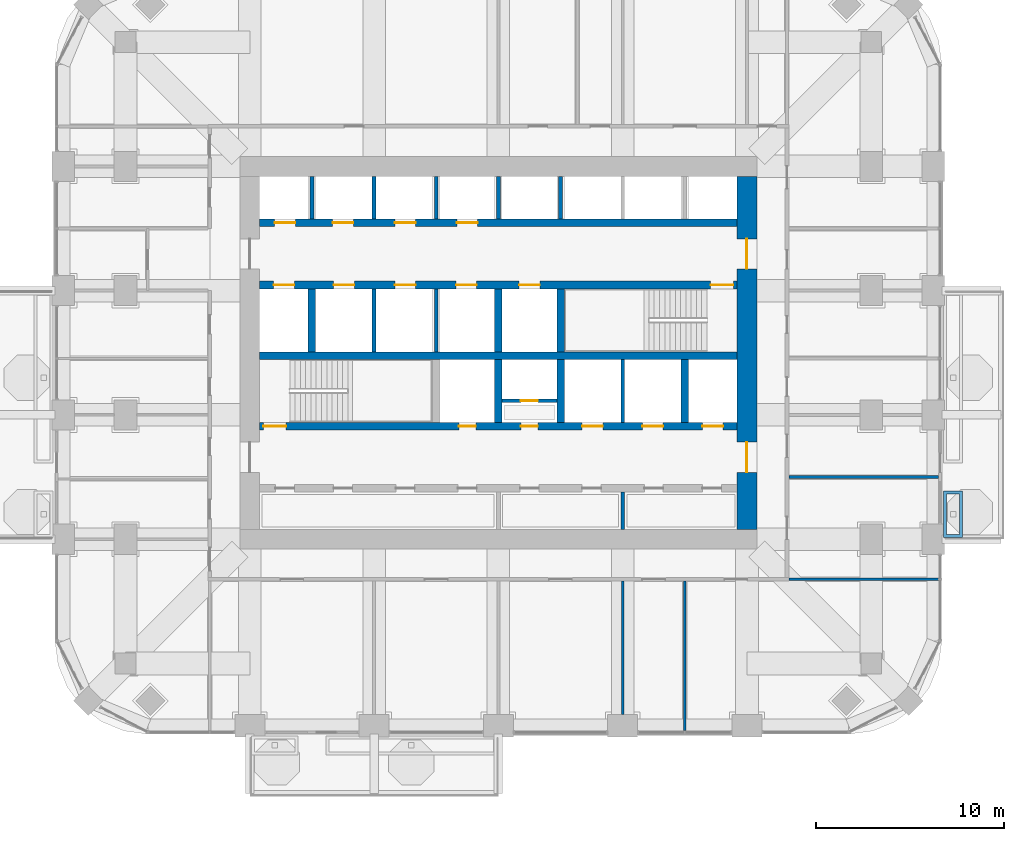
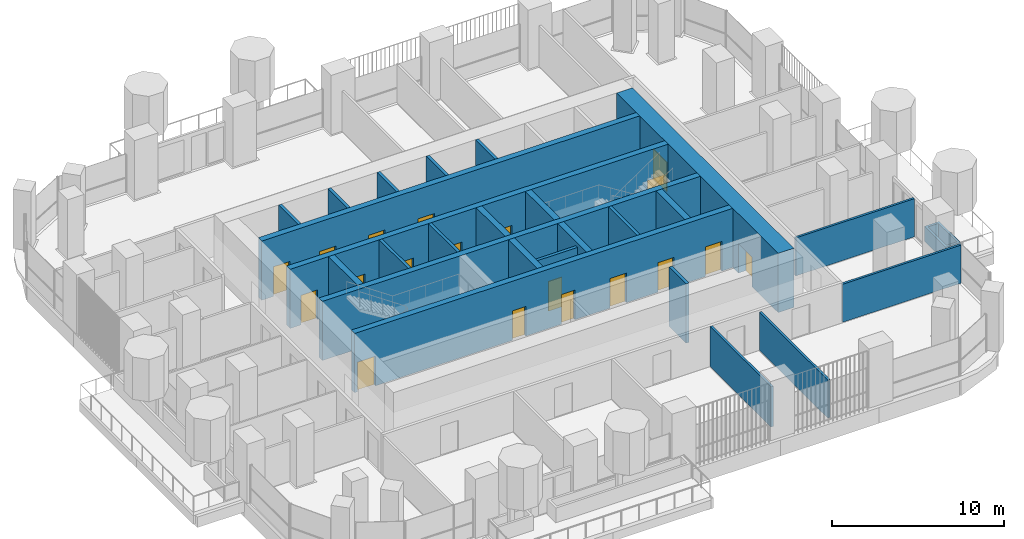
# One storey, part 13 of 20: 26 walls, 19 doors, 19 openings.
"""IFC4 building model written with IfcOpenShell, lengths in metres."""

import ifcopenshell
import ifcopenshell.guid

model = None  # the IFC model being written
_history = None  # IfcOwnerHistory: only IFC2X3 demands one
_inside = {}  # id of a spatial element -> (the spatial element, [elements in it])
_under = {}  # id of a project, library or spatial element -> (it, [spatial elements below it])
_declared = {}  # id of a project -> (the project, [libraries it declares])
_typed = {}  # id of a type object -> (the type object, [elements of that type])
_made_of = {}  # id of a material, layer set ... -> (it, [elements and type objects made of it])


def new_model(schema):
    """Start an empty IFC model of exactly this schema.

    Asked for "IFC4X3", IfcOpenShell would pick the latest addendum, in which some entities
    have other attributes; the version numbers below select the first issue.
    IFC2X3 requires an IfcOwnerHistory on every rooted entity: one is made here for all.
    """
    global model, _history
    if schema == "IFC4X3":
        model = ifcopenshell.file(schema_version=(4, 3, 0, 0))
    else:
        model = ifcopenshell.file(schema=schema)
    _inside.clear()
    _under.clear()
    _declared.clear()
    _typed.clear()
    _made_of.clear()
    _history = None
    if model.schema == "IFC2X3":
        org = make("IfcOrganization", Name="unknown")
        user = make(
            "IfcPersonAndOrganization",
            ThePerson=make("IfcPerson", FamilyName="unknown"),
            TheOrganization=org,
        )
        app = make(
            "IfcApplication",
            ApplicationDeveloper=org,
            Version="unknown",
            ApplicationFullName="unknown",
            ApplicationIdentifier="unknown",
        )
        _history = make(
            "IfcOwnerHistory",
            OwningUser=user,
            OwningApplication=app,
            ChangeAction="ADDED",
            CreationDate=0,
        )
    return model


def make(cls, **values):
    """One entity of the class cls with the attributes given. An attribute that is None is left unset."""
    return model.create_entity(
        cls, **{name: value for name, value in values.items() if value is not None}
    )


def rooted(cls, **values):
    """An entity with a GlobalId (a new one), such as an element, a storey or a relation."""
    return make(cls, GlobalId=ifcopenshell.guid.new(), OwnerHistory=_history, **values)


def si_unit(unit_type, name, prefix=None):
    """IfcSIUnit, for example si_unit("LENGTHUNIT", "METRE", prefix="MILLI")."""
    return make("IfcSIUnit", UnitType=unit_type, Prefix=prefix, Name=name)


def assignment(units):
    """IfcUnitAssignment: the units of a project."""
    return None if units is None else make("IfcUnitAssignment", Units=units)


def point(xyz):
    """IfcCartesianPoint."""
    return None if xyz is None else make("IfcCartesianPoint", Coordinates=xyz)


def direction(xyz):
    """IfcDirection."""
    return None if xyz is None else make("IfcDirection", DirectionRatios=xyz)


def frame(location, z_axis=None, x_axis=None):
    """IfcAxis2Placement3D, a coordinate frame: its origin and axes. An axis left out is left unset."""
    return make(
        "IfcAxis2Placement3D",
        Location=point(location),
        Axis=direction(z_axis),
        RefDirection=direction(x_axis),
    )


def frame_2d(location, x_axis=None):
    """IfcAxis2Placement2D, a coordinate frame in the plane: its origin and x axis."""
    return make(
        "IfcAxis2Placement2D", Location=point(location), RefDirection=direction(x_axis)
    )


def origin():
    """The frame at (0, 0, 0) with its axes left unset."""
    return frame((0.0, 0.0, 0.0))


def place(relative_to, where):
    """IfcLocalPlacement: puts the frame where relative to a parent placement (None: the world)."""
    return make(
        "IfcLocalPlacement", PlacementRelTo=relative_to, RelativePlacement=where
    )


def context(
    kind, dimensions, precision=None, world=None, true_north=None, identifier=None
):
    """IfcGeometricRepresentationContext, for example the 3D "Model" context."""
    return make(
        "IfcGeometricRepresentationContext",
        ContextIdentifier=identifier,
        ContextType=kind,
        CoordinateSpaceDimension=dimensions,
        Precision=precision,
        WorldCoordinateSystem=world,
        TrueNorth=true_north,
    )


def subcontext(parent, identifier, kind, view, scale=None):
    """IfcGeometricRepresentationSubContext, for example "Body" below "Model"."""
    return make(
        "IfcGeometricRepresentationSubContext",
        ContextIdentifier=identifier,
        ContextType=kind,
        ParentContext=parent,
        TargetScale=scale,
        TargetView=view,
    )


def project(units=None, contexts=None):
    """IfcProject with its units and contexts."""
    return rooted(
        "IfcProject",
        Name="project",
        RepresentationContexts=contexts,
        UnitsInContext=assignment(units),
    )


def spatial(cls, under=None, at=None, **own):
    """A site, building, storey or space (cls), placed at a placement, below another one or the project."""
    s = rooted(cls, ObjectPlacement=at, **own)
    if under is not None:
        _under.setdefault(under.id(), (under, []))[1].append(s)
    return s


def polyline(points):
    """IfcPolyline through the points."""
    return make("IfcPolyline", Points=[point(p) for p in points])


def profile(cls, at=None, kind="AREA", **sizes):
    """A parametric profile (cls). Its sizes go by their IFC names, for example OverallWidth=200.0."""
    return make(cls, ProfileType=kind, Position=at, **sizes)


def rectangle(**sizes):
    """IfcRectangleProfileDef."""
    return profile("IfcRectangleProfileDef", **sizes)


def outline(outer, holes=None, kind="AREA"):
    """IfcArbitraryClosedProfileDef: a profile drawn as a closed curve; with holes, ...WithVoids."""
    if holes is None:
        return make("IfcArbitraryClosedProfileDef", ProfileType=kind, OuterCurve=outer)
    return make(
        "IfcArbitraryProfileDefWithVoids",
        ProfileType=kind,
        OuterCurve=outer,
        InnerCurves=holes,
    )


def extrude(swept, where, along, depth):
    """IfcExtrudedAreaSolid: the profile swept, set in the frame where, extruded along a direction by depth."""
    return make(
        "IfcExtrudedAreaSolid",
        SweptArea=swept,
        Position=where,
        ExtrudedDirection=direction(along),
        Depth=depth,
    )


def shape(context_of_items, identifier, shape_type, items):
    """IfcShapeRepresentation: the items that make up one representation, for example the "Body"."""
    return make(
        "IfcShapeRepresentation",
        ContextOfItems=context_of_items,
        RepresentationIdentifier=identifier,
        RepresentationType=shape_type,
        Items=items,
    )


def material(Name=None, Category=None):
    """IfcMaterial."""
    return make("IfcMaterial", Name=Name, Category=Category)


def layer(
    of_material, thickness, ventilated=None, Name=None, Category=None, Priority=None
):
    """IfcMaterialLayer: one layer of a wall or slab, of a material (None: an air gap)."""
    return make(
        "IfcMaterialLayer",
        Material=of_material,
        LayerThickness=thickness,
        IsVentilated=ventilated,
        Name=Name,
        Category=Category,
        Priority=Priority,
    )


def layer_set(layers, Name=None):
    """IfcMaterialLayerSet."""
    return make("IfcMaterialLayerSet", MaterialLayers=layers, LayerSetName=Name)


def made_of(thing, what):
    """Note that an element or type object is made of a material, layer set ...; save() writes the relation."""
    if what is not None:
        _made_of.setdefault(what.id(), (what, []))[1].append(thing)
    return thing


def type_object(cls, material=None, **own):
    """A type object (cls), such as IfcWallType, which elements share."""
    return made_of(rooted(cls, **own), material)


def element(
    cls,
    number,
    at=None,
    inside=None,
    cuts=None,
    type_object=None,
    material=None,
    context=None,
    identifier="Body",
    shape_type=None,
    held_by="IfcProductDefinitionShape",
    body=None,
    shapes=None,
    **own,
):
    """One element of the class cls, such as IfcWall. Its Tag is "e" and its number.

    at: its placement. inside: the storey or other place that contains it. cuts: it is an
    opening in that element (IfcRelVoidsElement). A single representation is given by context,
    identifier, shape_type and body (its items); several are given by shapes. held_by: the class
    of the entity that holds the representations. save() writes the other relations.
    """
    e = rooted(cls, Tag="e%d" % number, ObjectPlacement=at, **own)
    if body is not None:
        shapes = [shape(context, identifier, shape_type, body)]
    if shapes is not None:
        e.Representation = make(held_by, Representations=shapes)
    if inside is not None:
        _inside.setdefault(inside.id(), (inside, []))[1].append(e)
    if cuts is not None:
        rooted(
            "IfcRelVoidsElement", RelatingBuildingElement=cuts, RelatedOpeningElement=e
        )
    if type_object is not None:
        _typed.setdefault(type_object.id(), (type_object, []))[1].append(e)
    return made_of(e, material)


def fill(opening, filler):
    """IfcRelFillsElement: the door or window that sits in an opening."""
    return rooted(
        "IfcRelFillsElement",
        RelatingOpeningElement=opening,
        RelatedBuildingElement=filler,
    )


def aggregate(whole, parts):
    """IfcRelAggregates: a whole, such as a stair, and the parts it consists of."""
    return rooted("IfcRelAggregates", RelatingObject=whole, RelatedObjects=parts)


def save(model, path):
    """Write the relations noted so far, then the file.

    IfcRelAggregates (storeys below a building ...), IfcRelContainedInSpatialStructure (elements
    in a storey), IfcRelDefinesByType, IfcRelAssociatesMaterial and IfcRelDeclares: one each for
    every whole, place, type object, material and project.
    """
    for whole, parts in _under.values():
        aggregate(whole, parts)
    for where, things in _inside.values():
        rooted(
            "IfcRelContainedInSpatialStructure",
            RelatedElements=things,
            RelatingStructure=where,
        )
    for kind, things in _typed.values():
        rooted("IfcRelDefinesByType", RelatedObjects=things, RelatingType=kind)
    for what, things in _made_of.values():
        rooted("IfcRelAssociatesMaterial", RelatedObjects=things, RelatingMaterial=what)
    for by, libraries in _declared.values():
        rooted("IfcRelDeclares", RelatingContext=by, RelatedDefinitions=libraries)
    model.write(path)


model = new_model("IFC4")

# Units and contexts
model_context = context("Model", 3, precision=1e-05, world=origin(), true_north=direction((0.0, 1.0)))
body_context = subcontext(model_context, "Body", "Model", "MODEL_VIEW")
ifc_project = project(units=[si_unit("LENGTHUNIT", "METRE"), si_unit("AREAUNIT", "SQUARE_METRE"), si_unit("VOLUMEUNIT", "CUBIC_METRE"), si_unit("PLANEANGLEUNIT", "RADIAN"), si_unit("MASSUNIT", "GRAM", prefix="KILO")], contexts=[model_context])

# Site, building, storey
site_placement = place(None, origin())
site = spatial("IfcSite", under=ifc_project, at=site_placement, CompositionType="ELEMENT")
building_placement = place(site_placement, origin())
building = spatial("IfcBuilding", under=site, at=building_placement, Name="Cobogo Forest Laboratory Tower", CompositionType="ELEMENT")
storey_placement = place(building_placement, frame((0.0, 0.0, 185.10009765625)))
storey = spatial("IfcBuildingStorey", under=building, at=storey_placement, Name="L42", CompositionType="ELEMENT", Elevation=185.10009765625)

# Wall, openings, doors
ifc_material_1 = material(Name="Concrete HA-50 (C50/60)", Category="concrete")
ifc_layer_1 = layer(ifc_material_1, 0.39990234375)
ifc_layer_set_1 = layer_set([ifc_layer_1], Name="CI400 core inner wall 400")
wall_type_1 = type_object("IfcWallType", Name="CI400 core inner wall 400", PredefinedType="SHEAR", material=ifc_layer_set_1)
wall_1_placement = place(storey_placement, frame((13.72509765625, 19.199951171875, 0.0), z_axis=(0.0, 0.0, 1.0), x_axis=(1.0, 0.0, 0.0)))
wall_1 = element("IfcWall", 1, at=wall_1_placement, inside=storey, type_object=wall_type_1, Name="Core wall CI-19.2 L42", PredefinedType="SHEAR", context=body_context, shape_type="SweptSolid", body=[
    extrude(rectangle(XDim=25.349853515625, YDim=0.39990234375, at=frame_2d((12.6748046875, 0.0))), origin(), (0.0, 0.0, 1.0), 4.199951171875),
])
opening_1_placement = place(wall_1_placement, frame((10.574951171875, 0.0, 0.0)))
opening_1 = element("IfcOpeningElement", 2, at=opening_1_placement, cuts=wall_1, Name="Opening L42-D25", PredefinedType="OPENING", context=body_context, shape_type="SweptSolid", body=[
    extrude(rectangle(XDim=0.89990234375, YDim=2.10009765625, at=frame_2d((0.449951171875, 1.050048828125))), frame((0.0, 0.2099609375, 0.0), z_axis=(0.0, -1.0, 0.0), x_axis=(1.0, 0.0, 0.0)), (0.0, 0.0, 1.0), 0.419921875),
])
opening_2_placement = place(wall_1_placement, frame((13.875, 0.0, 0.0)))
opening_2 = element("IfcOpeningElement", 3, at=opening_2_placement, cuts=wall_1, Name="Opening L42-D26", PredefinedType="OPENING", context=body_context, shape_type="SweptSolid", body=[
    extrude(rectangle(XDim=0.89990234375, YDim=2.10009765625, at=frame_2d((0.449951171875, 1.050048828125))), frame((0.0, 0.2099609375, 0.0), z_axis=(0.0, -1.0, 0.0), x_axis=(1.0, 0.0, 0.0)), (0.0, 0.0, 1.0), 0.419921875),
])
opening_3_placement = place(wall_1_placement, frame((0.199951171875, 0.0, 0.0)))
opening_3 = element("IfcOpeningElement", 4, at=opening_3_placement, cuts=wall_1, Name="Opening L42-D24", PredefinedType="OPENING", context=body_context, shape_type="SweptSolid", body=[
    extrude(rectangle(XDim=1.199951171875, YDim=2.10009765625, at=frame_2d((0.60009765625, 1.050048828125))), frame((0.0, 0.2099609375, 0.0), z_axis=(0.0, -1.0, 0.0), x_axis=(1.0, 0.0, 0.0)), (0.0, 0.0, 1.0), 0.419921875),
])
opening_4_placement = place(wall_1_placement, frame((23.512451171875, 0.0, 0.0)))
opening_4 = element("IfcOpeningElement", 5, at=opening_4_placement, cuts=wall_1, Name="Opening L42-LD-FL2", PredefinedType="OPENING", context=body_context, shape_type="SweptSolid", body=[
    extrude(rectangle(XDim=1.10009765625, YDim=2.10009765625, at=frame_2d((0.550048828125, 1.050048828125))), frame((0.0, 0.2099609375, 0.0), z_axis=(0.0, -1.0, 0.0), x_axis=(1.0, 0.0, 0.0)), (0.0, 0.0, 1.0), 0.419921875),
])
opening_5_placement = place(wall_1_placement, frame((17.125, 0.0, 0.0)))
opening_5 = element("IfcOpeningElement", 6, at=opening_5_placement, cuts=wall_1, Name="Opening L42-LD-LS1", PredefinedType="OPENING", context=body_context, shape_type="SweptSolid", body=[
    extrude(rectangle(XDim=1.10009765625, YDim=2.10009765625, at=frame_2d((0.550048828125, 1.050048828125))), frame((0.0, 0.2099609375, 0.0), z_axis=(0.0, -1.0, 0.0), x_axis=(1.0, 0.0, 0.0)), (0.0, 0.0, 1.0), 0.419921875),
])
opening_6_placement = place(wall_1_placement, frame((20.324951171875, 0.0, 0.0)))
opening_6 = element("IfcOpeningElement", 7, at=opening_6_placement, cuts=wall_1, Name="Opening L42-LD-LS2", PredefinedType="OPENING", context=body_context, shape_type="SweptSolid", body=[
    extrude(rectangle(XDim=1.10009765625, YDim=2.10009765625, at=frame_2d((0.550048828125, 1.050048828125))), frame((0.0, 0.2099609375, 0.0), z_axis=(0.0, -1.0, 0.0), x_axis=(1.0, 0.0, 0.0)), (0.0, 0.0, 1.0), 0.419921875),
])
ifc_material_2 = material(Name="Steel fire door", Category="steel")
door_type_1 = type_object("IfcDoorType", Name="DS1 protected stair door 1200 EI2 60", OperationType="SINGLE_SWING_LEFT", PredefinedType="DOOR", material=ifc_material_2)
door_1_placement = place(opening_3_placement, origin())
door_1 = element("IfcDoor", 8, at=door_1_placement, inside=storey, type_object=door_type_1, Name="Door L42-ST1", OperationType="SINGLE_SWING_LEFT", OverallHeight=2.10009765625, OverallWidth=1.199951171875, PredefinedType="DOOR", context=body_context, shape_type="SweptSolid", body=[
    extrude(rectangle(XDim=1.199951171875, YDim=2.10009765625, at=frame_2d((0.60009765625, 1.050048828125))), frame((0.0, 0.02490234375, 0.0), z_axis=(0.0, -1.0, 0.0), x_axis=(1.0, 0.0, 0.0)), (0.0, 0.0, 1.0), 0.050048828125),
])
fill(opening_3, door_1)
door_type_2 = type_object("IfcDoorType", Name="FD4 riser access door 900 EI2 60", OperationType="SINGLE_SWING_LEFT", PredefinedType="DOOR", material=ifc_material_2)
door_2_placement = place(opening_1_placement, origin())
door_2 = element("IfcDoor", 9, at=door_2_placement, inside=storey, type_object=door_type_2, Name="Door L42-R1", OperationType="SINGLE_SWING_LEFT", OverallHeight=2.10009765625, OverallWidth=0.89990234375, PredefinedType="DOOR", context=body_context, shape_type="SweptSolid", body=[
    extrude(rectangle(XDim=0.89990234375, YDim=2.10009765625, at=frame_2d((0.449951171875, 1.050048828125))), frame((0.0, 0.02490234375, 0.0), z_axis=(0.0, -1.0, 0.0), x_axis=(1.0, 0.0, 0.0)), (0.0, 0.0, 1.0), 0.050048828125),
])
fill(opening_1, door_2)
door_3_placement = place(opening_2_placement, origin())
door_3 = element("IfcDoor", 10, at=door_3_placement, inside=storey, type_object=door_type_2, Name="Door L42-R2V", OperationType="SINGLE_SWING_RIGHT", OverallHeight=2.10009765625, OverallWidth=0.89990234375, PredefinedType="DOOR", context=body_context, shape_type="SweptSolid", body=[
    extrude(rectangle(XDim=0.89990234375, YDim=2.10009765625, at=frame_2d((0.449951171875, 1.050048828125))), frame((0.0, 0.02490234375, 0.0), z_axis=(0.0, -1.0, 0.0), x_axis=(1.0, 0.0, 0.0)), (0.0, 0.0, 1.0), 0.050048828125),
])
fill(opening_2, door_3)
ifc_material_3 = material(Name="Stainless steel lift door", Category="steel")
door_type_3 = type_object("IfcDoorType", Name="LD lift landing door 1100", OperationType="DOUBLE_DOOR_SLIDING", PredefinedType="DOOR", material=ifc_material_3)
door_4_placement = place(opening_4_placement, origin())
door_4 = element("IfcDoor", 11, at=door_4_placement, inside=storey, type_object=door_type_3, Name="Lift landing door FL2 L42", OperationType="DOUBLE_DOOR_SLIDING", OverallHeight=2.10009765625, OverallWidth=1.10009765625, PredefinedType="DOOR", context=body_context, shape_type="SweptSolid", body=[
    extrude(rectangle(XDim=1.10009765625, YDim=2.10009765625, at=frame_2d((0.550048828125, 1.050048828125))), frame((0.0, 0.02490234375, 0.0), z_axis=(0.0, -1.0, 0.0), x_axis=(1.0, 0.0, 0.0)), (0.0, 0.0, 1.0), 0.050048828125),
])
fill(opening_4, door_4)
door_5_placement = place(opening_5_placement, origin())
door_5 = element("IfcDoor", 12, at=door_5_placement, inside=storey, type_object=door_type_3, Name="Lift landing door LS1 L42", OperationType="DOUBLE_DOOR_SLIDING", OverallHeight=2.10009765625, OverallWidth=1.10009765625, PredefinedType="DOOR", context=body_context, shape_type="SweptSolid", body=[
    extrude(rectangle(XDim=1.10009765625, YDim=2.10009765625, at=frame_2d((0.550048828125, 1.050048828125))), frame((0.0, 0.02490234375, 0.0), z_axis=(0.0, -1.0, 0.0), x_axis=(1.0, 0.0, 0.0)), (0.0, 0.0, 1.0), 0.050048828125),
])
fill(opening_5, door_5)
door_6_placement = place(opening_6_placement, origin())
door_6 = element("IfcDoor", 13, at=door_6_placement, inside=storey, type_object=door_type_3, Name="Lift landing door LS2 L42", OperationType="DOUBLE_DOOR_SLIDING", OverallHeight=2.10009765625, OverallWidth=1.10009765625, PredefinedType="DOOR", context=body_context, shape_type="SweptSolid", body=[
    extrude(rectangle(XDim=1.10009765625, YDim=2.10009765625, at=frame_2d((0.550048828125, 1.050048828125))), frame((0.0, 0.02490234375, 0.0), z_axis=(0.0, -1.0, 0.0), x_axis=(1.0, 0.0, 0.0)), (0.0, 0.0, 1.0), 0.050048828125),
])
fill(opening_6, door_6)

# Wall
wall_2_placement = place(storey_placement, frame((13.72509765625, 22.949951171875, 0.0), z_axis=(0.0, 0.0, 1.0), x_axis=(1.0, 0.0, 0.0)))
element("IfcWall", 14, at=wall_2_placement, inside=storey, type_object=wall_type_1, Name="Core wall CI-22.95 L42", PredefinedType="SHEAR", context=body_context, shape_type="SweptSolid", body=[
    extrude(rectangle(XDim=25.349853515625, YDim=0.39990234375, at=frame_2d((12.6748046875, 0.0))), origin(), (0.0, 0.0, 1.0), 4.199951171875),
])

# Wall, openings, doors
wall_3_placement = place(storey_placement, frame((13.72509765625, 26.699951171875, 0.0), z_axis=(0.0, 0.0, 1.0), x_axis=(1.0, 0.0, 0.0)))
wall_3 = element("IfcWall", 15, at=wall_3_placement, inside=storey, type_object=wall_type_1, Name="Core wall CI-26.7 L42", PredefinedType="SHEAR", context=body_context, shape_type="SweptSolid", body=[
    extrude(rectangle(XDim=25.349853515625, YDim=0.39990234375, at=frame_2d((12.6748046875, 0.0))), origin(), (0.0, 0.0, 1.0), 4.199951171875),
])
opening_7_placement = place(wall_3_placement, frame((23.949951171875, 0.0, 0.0)))
opening_7 = element("IfcOpeningElement", 16, at=opening_7_placement, cuts=wall_3, Name="Opening L42-D32", PredefinedType="OPENING", context=body_context, shape_type="SweptSolid", body=[
    extrude(rectangle(XDim=1.199951171875, YDim=2.10009765625, at=frame_2d((0.60009765625, 1.050048828125))), frame((0.0, 0.2099609375, 0.0), z_axis=(0.0, -1.0, 0.0), x_axis=(1.0, 0.0, 0.0)), (0.0, 0.0, 1.0), 0.419921875),
])
opening_8_placement = place(wall_3_placement, frame((0.737548828125, 0.0, 0.0)))
opening_8 = element("IfcOpeningElement", 17, at=opening_8_placement, cuts=wall_3, Name="Opening L42-LD-FL1", PredefinedType="OPENING", context=body_context, shape_type="SweptSolid", body=[
    extrude(rectangle(XDim=1.10009765625, YDim=2.10009765625, at=frame_2d((0.550048828125, 1.050048828125))), frame((0.0, 0.2099609375, 0.0), z_axis=(0.0, -1.0, 0.0), x_axis=(1.0, 0.0, 0.0)), (0.0, 0.0, 1.0), 0.419921875),
])
opening_9_placement = place(wall_3_placement, frame((3.925048828125, 0.0, 0.0)))
opening_9 = element("IfcOpeningElement", 18, at=opening_9_placement, cuts=wall_3, Name="Opening L42-LD-LS3", PredefinedType="OPENING", context=body_context, shape_type="SweptSolid", body=[
    extrude(rectangle(XDim=1.10009765625, YDim=2.10009765625, at=frame_2d((0.550048828125, 1.050048828125))), frame((0.0, 0.2099609375, 0.0), z_axis=(0.0, -1.0, 0.0), x_axis=(1.0, 0.0, 0.0)), (0.0, 0.0, 1.0), 0.419921875),
])
opening_10_placement = place(wall_3_placement, frame((7.175048828125, 0.0, 0.0)))
opening_10 = element("IfcOpeningElement", 19, at=opening_10_placement, cuts=wall_3, Name="Opening L42-LD-LS4", PredefinedType="OPENING", context=body_context, shape_type="SweptSolid", body=[
    extrude(rectangle(XDim=1.10009765625, YDim=2.10009765625, at=frame_2d((0.550048828125, 1.050048828125))), frame((0.0, 0.2099609375, 0.0), z_axis=(0.0, -1.0, 0.0), x_axis=(1.0, 0.0, 0.0)), (0.0, 0.0, 1.0), 0.419921875),
])
opening_11_placement = place(wall_3_placement, frame((10.425048828125, 0.0, 0.0)))
opening_11 = element("IfcOpeningElement", 20, at=opening_11_placement, cuts=wall_3, Name="Opening L42-LD-LS5", PredefinedType="OPENING", context=body_context, shape_type="SweptSolid", body=[
    extrude(rectangle(XDim=1.10009765625, YDim=2.10009765625, at=frame_2d((0.550048828125, 1.050048828125))), frame((0.0, 0.2099609375, 0.0), z_axis=(0.0, -1.0, 0.0), x_axis=(1.0, 0.0, 0.0)), (0.0, 0.0, 1.0), 0.419921875),
])
opening_12_placement = place(wall_3_placement, frame((13.77490234375, 0.0, 0.0)))
opening_12 = element("IfcOpeningElement", 21, at=opening_12_placement, cuts=wall_3, Name="Opening L42-LD-LS6", PredefinedType="OPENING", context=body_context, shape_type="SweptSolid", body=[
    extrude(rectangle(XDim=1.10009765625, YDim=2.10009765625, at=frame_2d((0.550048828125, 1.050048828125))), frame((0.0, 0.2099609375, 0.0), z_axis=(0.0, -1.0, 0.0), x_axis=(1.0, 0.0, 0.0)), (0.0, 0.0, 1.0), 0.419921875),
])
door_7_placement = place(opening_7_placement, origin())
door_7 = element("IfcDoor", 22, at=door_7_placement, inside=storey, type_object=door_type_1, Name="Door L42-ST2", OperationType="SINGLE_SWING_RIGHT", OverallHeight=2.10009765625, OverallWidth=1.199951171875, PredefinedType="DOOR", context=body_context, shape_type="SweptSolid", body=[
    extrude(rectangle(XDim=1.199951171875, YDim=2.10009765625, at=frame_2d((0.60009765625, 1.050048828125))), frame((0.0, 0.02490234375, 0.0), z_axis=(0.0, -1.0, 0.0), x_axis=(1.0, 0.0, 0.0)), (0.0, 0.0, 1.0), 0.050048828125),
])
fill(opening_7, door_7)
door_8_placement = place(opening_8_placement, origin())
door_8 = element("IfcDoor", 23, at=door_8_placement, inside=storey, type_object=door_type_3, Name="Lift landing door FL1 L42", OperationType="DOUBLE_DOOR_SLIDING", OverallHeight=2.10009765625, OverallWidth=1.10009765625, PredefinedType="DOOR", context=body_context, shape_type="SweptSolid", body=[
    extrude(rectangle(XDim=1.10009765625, YDim=2.10009765625, at=frame_2d((0.550048828125, 1.050048828125))), frame((0.0, 0.02490234375, 0.0), z_axis=(0.0, -1.0, 0.0), x_axis=(1.0, 0.0, 0.0)), (0.0, 0.0, 1.0), 0.050048828125),
])
fill(opening_8, door_8)
door_9_placement = place(opening_9_placement, origin())
door_9 = element("IfcDoor", 24, at=door_9_placement, inside=storey, type_object=door_type_3, Name="Lift landing door LS3 L42", OperationType="DOUBLE_DOOR_SLIDING", OverallHeight=2.10009765625, OverallWidth=1.10009765625, PredefinedType="DOOR", context=body_context, shape_type="SweptSolid", body=[
    extrude(rectangle(XDim=1.10009765625, YDim=2.10009765625, at=frame_2d((0.550048828125, 1.050048828125))), frame((0.0, 0.02490234375, 0.0), z_axis=(0.0, -1.0, 0.0), x_axis=(1.0, 0.0, 0.0)), (0.0, 0.0, 1.0), 0.050048828125),
])
fill(opening_9, door_9)
door_10_placement = place(opening_10_placement, origin())
door_10 = element("IfcDoor", 25, at=door_10_placement, inside=storey, type_object=door_type_3, Name="Lift landing door LS4 L42", OperationType="DOUBLE_DOOR_SLIDING", OverallHeight=2.10009765625, OverallWidth=1.10009765625, PredefinedType="DOOR", context=body_context, shape_type="SweptSolid", body=[
    extrude(rectangle(XDim=1.10009765625, YDim=2.10009765625, at=frame_2d((0.550048828125, 1.050048828125))), frame((0.0, 0.02490234375, 0.0), z_axis=(0.0, -1.0, 0.0), x_axis=(1.0, 0.0, 0.0)), (0.0, 0.0, 1.0), 0.050048828125),
])
fill(opening_10, door_10)
door_11_placement = place(opening_11_placement, origin())
door_11 = element("IfcDoor", 26, at=door_11_placement, inside=storey, type_object=door_type_3, Name="Lift landing door LS5 L42", OperationType="DOUBLE_DOOR_SLIDING", OverallHeight=2.10009765625, OverallWidth=1.10009765625, PredefinedType="DOOR", context=body_context, shape_type="SweptSolid", body=[
    extrude(rectangle(XDim=1.10009765625, YDim=2.10009765625, at=frame_2d((0.550048828125, 1.050048828125))), frame((0.0, 0.02490234375, 0.0), z_axis=(0.0, -1.0, 0.0), x_axis=(1.0, 0.0, 0.0)), (0.0, 0.0, 1.0), 0.050048828125),
])
fill(opening_11, door_11)
door_12_placement = place(opening_12_placement, origin())
door_12 = element("IfcDoor", 27, at=door_12_placement, inside=storey, type_object=door_type_3, Name="Lift landing door LS6 L42", OperationType="DOUBLE_DOOR_SLIDING", OverallHeight=2.10009765625, OverallWidth=1.10009765625, PredefinedType="DOOR", context=body_context, shape_type="SweptSolid", body=[
    extrude(rectangle(XDim=1.10009765625, YDim=2.10009765625, at=frame_2d((0.550048828125, 1.050048828125))), frame((0.0, 0.02490234375, 0.0), z_axis=(0.0, -1.0, 0.0), x_axis=(1.0, 0.0, 0.0)), (0.0, 0.0, 1.0), 0.050048828125),
])
fill(opening_12, door_12)

wall_4_placement = place(storey_placement, frame((13.72509765625, 30.0, 0.0), z_axis=(0.0, 0.0, 1.0), x_axis=(1.0, 0.0, 0.0)))
wall_4 = element("IfcWall", 28, at=wall_4_placement, inside=storey, type_object=wall_type_1, Name="Core wall CI-30.0 L42", PredefinedType="SHEAR", context=body_context, shape_type="SweptSolid", body=[
    extrude(rectangle(XDim=25.349853515625, YDim=0.39990234375, at=frame_2d((12.6748046875, 0.0))), origin(), (0.0, 0.0, 1.0), 4.199951171875),
])
opening_13_placement = place(wall_4_placement, frame((0.78759765625, 0.0, 0.0)))
opening_13 = element("IfcOpeningElement", 29, at=opening_13_placement, cuts=wall_4, Name="Opening L42-LD-LC1", PredefinedType="OPENING", context=body_context, shape_type="SweptSolid", body=[
    extrude(rectangle(XDim=1.10009765625, YDim=2.10009765625, at=frame_2d((0.550048828125, 1.050048828125))), frame((0.0, 0.2099609375, 0.0), z_axis=(0.0, -1.0, 0.0), x_axis=(1.0, 0.0, 0.0)), (0.0, 0.0, 1.0), 0.419921875),
])
opening_14_placement = place(wall_4_placement, frame((3.875, 0.0, 0.0)))
opening_14 = element("IfcOpeningElement", 30, at=opening_14_placement, cuts=wall_4, Name="Opening L42-LD-LC2", PredefinedType="OPENING", context=body_context, shape_type="SweptSolid", body=[
    extrude(rectangle(XDim=1.10009765625, YDim=2.10009765625, at=frame_2d((0.550048828125, 1.050048828125))), frame((0.0, 0.2099609375, 0.0), z_axis=(0.0, -1.0, 0.0), x_axis=(1.0, 0.0, 0.0)), (0.0, 0.0, 1.0), 0.419921875),
])
opening_15_placement = place(wall_4_placement, frame((7.175048828125, 0.0, 0.0)))
opening_15 = element("IfcOpeningElement", 31, at=opening_15_placement, cuts=wall_4, Name="Opening L42-LD-LC3", PredefinedType="OPENING", context=body_context, shape_type="SweptSolid", body=[
    extrude(rectangle(XDim=1.10009765625, YDim=2.10009765625, at=frame_2d((0.550048828125, 1.050048828125))), frame((0.0, 0.2099609375, 0.0), z_axis=(0.0, -1.0, 0.0), x_axis=(1.0, 0.0, 0.0)), (0.0, 0.0, 1.0), 0.419921875),
])
opening_16_placement = place(wall_4_placement, frame((10.47509765625, 0.0, 0.0)))
opening_16 = element("IfcOpeningElement", 32, at=opening_16_placement, cuts=wall_4, Name="Opening L42-LD-LC4", PredefinedType="OPENING", context=body_context, shape_type="SweptSolid", body=[
    extrude(rectangle(XDim=1.10009765625, YDim=2.10009765625, at=frame_2d((0.550048828125, 1.050048828125))), frame((0.0, 0.2099609375, 0.0), z_axis=(0.0, -1.0, 0.0), x_axis=(1.0, 0.0, 0.0)), (0.0, 0.0, 1.0), 0.419921875),
])
door_13_placement = place(opening_13_placement, origin())
door_13 = element("IfcDoor", 33, at=door_13_placement, inside=storey, type_object=door_type_3, Name="Lift landing door LC1 L42", OperationType="DOUBLE_DOOR_SLIDING", OverallHeight=2.10009765625, OverallWidth=1.10009765625, PredefinedType="DOOR", context=body_context, shape_type="SweptSolid", body=[
    extrude(rectangle(XDim=1.10009765625, YDim=2.10009765625, at=frame_2d((0.550048828125, 1.050048828125))), frame((0.0, 0.02490234375, 0.0), z_axis=(0.0, -1.0, 0.0), x_axis=(1.0, 0.0, 0.0)), (0.0, 0.0, 1.0), 0.050048828125),
])
fill(opening_13, door_13)
door_14_placement = place(opening_14_placement, origin())
door_14 = element("IfcDoor", 34, at=door_14_placement, inside=storey, type_object=door_type_3, Name="Lift landing door LC2 L42", OperationType="DOUBLE_DOOR_SLIDING", OverallHeight=2.10009765625, OverallWidth=1.10009765625, PredefinedType="DOOR", context=body_context, shape_type="SweptSolid", body=[
    extrude(rectangle(XDim=1.10009765625, YDim=2.10009765625, at=frame_2d((0.550048828125, 1.050048828125))), frame((0.0, 0.02490234375, 0.0), z_axis=(0.0, -1.0, 0.0), x_axis=(1.0, 0.0, 0.0)), (0.0, 0.0, 1.0), 0.050048828125),
])
fill(opening_14, door_14)
door_15_placement = place(opening_15_placement, origin())
door_15 = element("IfcDoor", 35, at=door_15_placement, inside=storey, type_object=door_type_3, Name="Lift landing door LC3 L42", OperationType="DOUBLE_DOOR_SLIDING", OverallHeight=2.10009765625, OverallWidth=1.10009765625, PredefinedType="DOOR", context=body_context, shape_type="SweptSolid", body=[
    extrude(rectangle(XDim=1.10009765625, YDim=2.10009765625, at=frame_2d((0.550048828125, 1.050048828125))), frame((0.0, 0.02490234375, 0.0), z_axis=(0.0, -1.0, 0.0), x_axis=(1.0, 0.0, 0.0)), (0.0, 0.0, 1.0), 0.050048828125),
])
fill(opening_15, door_15)
door_16_placement = place(opening_16_placement, origin())
door_16 = element("IfcDoor", 36, at=door_16_placement, inside=storey, type_object=door_type_3, Name="Lift landing door LC4 L42", OperationType="DOUBLE_DOOR_SLIDING", OverallHeight=2.10009765625, OverallWidth=1.10009765625, PredefinedType="DOOR", context=body_context, shape_type="SweptSolid", body=[
    extrude(rectangle(XDim=1.10009765625, YDim=2.10009765625, at=frame_2d((0.550048828125, 1.050048828125))), frame((0.0, 0.02490234375, 0.0), z_axis=(0.0, -1.0, 0.0), x_axis=(1.0, 0.0, 0.0)), (0.0, 0.0, 1.0), 0.050048828125),
])
fill(opening_16, door_16)

# Walls
for number, where, z_axis, x_axis, name in (
    (37, (26.39990234375, 19.39990234375, 0.0), (0.0, 0.0, 1.0), (0.0, 1.0, 0.0), "Core wall CX-26.4S L42"),
    (38, (29.699951171875, 19.39990234375, 0.0), (0.0, 0.0, 1.0), (0.0, 1.0, 0.0), "Core wall CX-29.7S L42"),
    (39, (36.300048828125, 19.39990234375, 0.0), (0.0, 0.0, 1.0), (0.0, 1.0, 0.0), "Core wall CX-36.3 L42"),
    (40, (16.5, 23.14990234375, 0.0), (0.0, 0.0, 1.0), (0.0, 1.0, 0.0), "Core wall CX-16.5 L42"),
    (41, (26.39990234375, 23.14990234375, 0.0), (0.0, 0.0, 1.0), (0.0, 1.0, 0.0), "Core wall CX-26.4N L42"),
    (42, (29.699951171875, 23.14990234375, 0.0), (0.0, 0.0, 1.0), (0.0, 1.0, 0.0), "Core wall CX-29.7N L42"),
):
    element("IfcWall", number, at=place(storey_placement, frame(where, z_axis=z_axis, x_axis=x_axis)), inside=storey, type_object=wall_type_1, Name=name, PredefinedType="SHEAR", context=body_context, shape_type="SweptSolid", body=[
        extrude(rectangle(XDim=3.35009765625, YDim=0.39990234375, at=frame_2d((1.675048828125, 0.0))), origin(), (0.0, 0.0, 1.0), 4.199951171875),
    ])

# Wall, openings, doors
ifc_layer_2 = layer(ifc_material_1, 1.050048828125)
ifc_layer_set_2 = layer_set([ifc_layer_2], Name="CW1050 core outer wall 1050")
wall_type_2 = type_object("IfcWallType", Name="CW1050 core outer wall 1050", PredefinedType="SHEAR", material=ifc_layer_set_2)
wall_5_placement = place(storey_placement, frame((39.60009765625, 13.72509765625, 0.0), z_axis=(0.0, 0.0, 1.0), x_axis=(0.0, 1.0, 0.0)))
wall_5 = element("IfcWall", 43, at=wall_5_placement, inside=storey, type_object=wall_type_2, Name="Core wall CO-E L42", PredefinedType="SHEAR", context=body_context, shape_type="SweptSolid", body=[
    extrude(rectangle(XDim=18.75, YDim=1.050048828125, at=frame_2d((9.375, 0.0))), origin(), (0.0, 0.0, 1.0), 4.199951171875),
])
opening_17_placement = place(wall_5_placement, frame((3.02490234375, 0.0, 0.0)))
opening_17 = element("IfcOpeningElement", 44, at=opening_17_placement, cuts=wall_5, Name="Opening L42-D21", PredefinedType="OPENING", context=body_context, shape_type="SweptSolid", body=[
    extrude(rectangle(XDim=1.60009765625, YDim=2.10009765625, at=frame_2d((0.800048828125, 1.050048828125))), frame((0.0, 0.534912109375, 0.0), z_axis=(0.0, -1.0, 0.0), x_axis=(1.0, 0.0, 0.0)), (0.0, 0.0, 1.0), 1.070068359375),
])
opening_18_placement = place(wall_5_placement, frame((13.824951171875, 0.0, 0.0)))
opening_18 = element("IfcOpeningElement", 45, at=opening_18_placement, cuts=wall_5, Name="Opening L42-D36", PredefinedType="OPENING", context=body_context, shape_type="SweptSolid", body=[
    extrude(rectangle(XDim=1.60009765625, YDim=2.10009765625, at=frame_2d((0.800048828125, 1.050048828125))), frame((0.0, 0.534912109375, 0.0), z_axis=(0.0, -1.0, 0.0), x_axis=(1.0, 0.0, 0.0)), (0.0, 0.0, 1.0), 1.070068359375),
])
door_type_4 = type_object("IfcDoorType", Name="DS2 protected lobby door pair 1600 EI2 60", OperationType="DOUBLE_DOOR_DOUBLE_SWING", PredefinedType="DOOR", material=ifc_material_2)
door_17_placement = place(opening_17_placement, origin())
door_17 = element("IfcDoor", 46, at=door_17_placement, inside=storey, type_object=door_type_4, Name="Door L42-CO-E-S", OperationType="DOUBLE_DOOR_DOUBLE_SWING", OverallHeight=2.10009765625, OverallWidth=1.60009765625, PredefinedType="DOOR", context=body_context, shape_type="SweptSolid", body=[
    extrude(rectangle(XDim=1.60009765625, YDim=2.10009765625, at=frame_2d((0.800048828125, 1.050048828125))), frame((0.0, 0.02490234375, 0.0), z_axis=(0.0, -1.0, 0.0), x_axis=(1.0, 0.0, 0.0)), (0.0, 0.0, 1.0), 0.050048828125),
])
fill(opening_17, door_17)
door_18_placement = place(opening_18_placement, origin())
door_18 = element("IfcDoor", 47, at=door_18_placement, inside=storey, type_object=door_type_4, Name="Door L42-CO-E-N", OperationType="DOUBLE_DOOR_DOUBLE_SWING", OverallHeight=2.10009765625, OverallWidth=1.60009765625, PredefinedType="DOOR", context=body_context, shape_type="SweptSolid", body=[
    extrude(rectangle(XDim=1.60009765625, YDim=2.10009765625, at=frame_2d((0.800048828125, 1.050048828125))), frame((0.0, 0.02490234375, 0.0), z_axis=(0.0, -1.0, 0.0), x_axis=(1.0, 0.0, 0.0)), (0.0, 0.0, 1.0), 0.050048828125),
])
fill(opening_18, door_18)

# Walls
ifc_material_4 = material(Name="Gypsum board on steel studs", Category="steel")
ifc_layer_3 = layer(ifc_material_4, 0.14990234375)
ifc_layer_set_3 = layer_set([ifc_layer_3], Name="PT1 laboratory partition 150")
wall_type_3 = type_object("IfcWallType", Name="PT1 laboratory partition 150", PredefinedType="PARTITIONING", material=ifc_layer_set_3)
wall_6_placement = place(storey_placement, frame((49.77001953125, 11.074951171875, 0.0), z_axis=(0.0, 0.0, 1.0), x_axis=(-1.0, 0.0, 0.0)))
element("IfcWall", 48, at=wall_6_placement, inside=storey, type_object=wall_type_3, Name="Partition PW-SE L42", PredefinedType="PARTITIONING", context=body_context, shape_type="SweptSolid", body=[
    extrude(rectangle(XDim=7.945068359375, YDim=0.14990234375, at=frame_2d((3.97265625, 0.0))), origin(), (0.0, 0.0, 1.0), 2.699951171875),
])
wall_7_placement = place(storey_placement, frame((33.0, 3.89990234375, 0.0), z_axis=(0.0, 0.0, 1.0), x_axis=(0.0, 1.0, 0.0)))
element("IfcWall", 49, at=wall_7_placement, inside=storey, type_object=wall_type_3, Name="Partition CUT-S33-1 L42", PredefinedType="PARTITIONING", context=body_context, shape_type="SweptSolid", body=[
    extrude(rectangle(XDim=7.0751953125, YDim=0.14990234375, at=frame_2d((3.53759765625, 0.0))), origin(), (0.0, 0.0, 1.0), 2.849853515625),
])
for number, where, z_axis, x_axis, name in (
    (50, (36.300048828125, 3.030029296875, 0.0), (0.0, 0.0, 1.0), (0.0, 1.0, 0.0), "Partition CUT-S36.3-1 L42"),
    (51, (49.77001953125, 16.5, 0.0), (0.0, 0.0, 1.0), (-1.0, 0.0, 0.0), "Partition CUT-E16.5-1 L42"),
):
    element("IfcWall", number, at=place(storey_placement, frame(where, z_axis=z_axis, x_axis=x_axis)), inside=storey, type_object=wall_type_3, Name=name, PredefinedType="PARTITIONING", context=body_context, shape_type="SweptSolid", body=[
        extrude(rectangle(XDim=7.945068359375, YDim=0.14990234375, at=frame_2d((3.97265625, 0.0))), origin(), (0.0, 0.0, 1.0), 2.699951171875),
    ])

# Wall, opening, door
ifc_layer_4 = layer(ifc_material_4, 0.199951171875)
ifc_layer_set_4 = layer_set([ifc_layer_4], Name="PT2 fire-rated corridor partition 200")
wall_type_4 = type_object("IfcWallType", Name="PT2 fire-rated corridor partition 200", PredefinedType="PARTITIONING", material=ifc_layer_set_4)
wall_8_placement = place(storey_placement, frame((26.60009765625, 20.550048828125, 0.0), z_axis=(0.0, 0.0, 1.0), x_axis=(1.0, 0.0, 0.0)))
wall_8 = element("IfcWall", 52, at=wall_8_placement, inside=storey, type_object=wall_type_4, Name="Partition RSPLIT-R2 L42", PredefinedType="PARTITIONING", context=body_context, shape_type="SweptSolid", body=[
    extrude(rectangle(XDim=2.89990234375, YDim=0.199951171875, at=frame_2d((1.449951171875, 0.0))), origin(), (0.0, 0.0, 1.0), 3.89990234375),
])
opening_19_placement = place(wall_8_placement, frame((1.0, 0.0, 0.0)))
opening_19 = element("IfcOpeningElement", 53, at=opening_19_placement, cuts=wall_8, Name="Opening L42-D27", PredefinedType="OPENING", context=body_context, shape_type="SweptSolid", body=[
    extrude(rectangle(XDim=0.89990234375, YDim=2.10009765625, at=frame_2d((0.449951171875, 1.050048828125))), frame((0.0, 0.10986328125, 0.0), z_axis=(0.0, -1.0, 0.0), x_axis=(1.0, 0.0, 0.0)), (0.0, 0.0, 1.0), 0.219970703125),
])
door_19_placement = place(opening_19_placement, origin())
door_19 = element("IfcDoor", 54, at=door_19_placement, inside=storey, type_object=door_type_2, Name="Door L42-R2", OperationType="SINGLE_SWING_LEFT", OverallHeight=2.10009765625, OverallWidth=0.89990234375, PredefinedType="DOOR", context=body_context, shape_type="SweptSolid", body=[
    extrude(rectangle(XDim=0.89990234375, YDim=2.10009765625, at=frame_2d((0.449951171875, 1.050048828125))), frame((0.0, 0.02490234375, 0.0), z_axis=(0.0, -1.0, 0.0), x_axis=(1.0, 0.0, 0.0)), (0.0, 0.0, 1.0), 0.050048828125),
])
fill(opening_19, door_19)

# Walls
ifc_material_5 = material(Name="Concrete HA-40 (C40/50)", Category="concrete")
ifc_layer_5 = layer(ifc_material_5, 0.14990234375)
ifc_layer_set_5 = layer_set([ifc_layer_5], Name="Planter box 1000x1050")
wall_type_5 = type_object("IfcWallType", Name="Planter box 1000x1050", PredefinedType="USERDEFINED", material=ifc_layer_set_5)
wall_9_placement = place(storey_placement, origin())
element("IfcWall", 55, at=wall_9_placement, inside=storey, type_object=wall_type_5, Name="Planter BAL-E1-1 L42", ObjectType="PLANTER", PredefinedType="USERDEFINED", context=body_context, shape_type="SweptSolid", body=[
    extrude(outline(polyline([(50.050048828125, 13.300048828125), (51.050048828125, 13.300048828125), (51.050048828125, 15.75), (50.050048828125, 15.75), (50.050048828125, 13.300048828125)]), holes=[polyline([(50.199951171875, 13.449951171875), (50.89990234375, 13.449951171875), (50.89990234375, 15.60009765625), (50.199951171875, 15.60009765625), (50.199951171875, 13.449951171875)])]), origin(), (0.0, 0.0, 1.0), 1.0498046875),
])
ifc_material_6 = material(Name="Concrete block", Category="concrete")
ifc_layer_6 = layer(ifc_material_6, 0.199951171875)
ifc_layer_set_6 = layer_set([ifc_layer_6], Name="SW200 lift shaft separator 200")
wall_type_6 = type_object("IfcWallType", Name="SW200 lift shaft separator 200", PredefinedType="PARTITIONING", material=ifc_layer_set_6)
for number, where, z_axis, x_axis, name in (
    (56, (16.5, 30.199951171875, 0.0), (0.0, 0.0, 1.0), (0.0, 1.0, 0.0), "Core wall SEP-N1 L42"),
    (57, (19.800048828125, 30.199951171875, 0.0), (0.0, 0.0, 1.0), (0.0, 1.0, 0.0), "Core wall SEP-N2 L42"),
    (58, (23.10009765625, 30.199951171875, 0.0), (0.0, 0.0, 1.0), (0.0, 1.0, 0.0), "Core wall SEP-N3 L42"),
    (59, (26.39990234375, 30.199951171875, 0.0), (0.0, 0.0, 1.0), (0.0, 1.0, 0.0), "Core wall SEP-N4 L42"),
    (60, (29.699951171875, 30.199951171875, 0.0), (0.0, 0.0, 1.0), (0.0, 1.0, 0.0), "Core wall SEP-N5 L42"),
):
    element("IfcWall", number, at=place(storey_placement, frame(where, z_axis=z_axis, x_axis=x_axis)), inside=storey, type_object=wall_type_6, Name=name, PredefinedType="PARTITIONING", context=body_context, shape_type="SweptSolid", body=[
        extrude(rectangle(XDim=2.275146484375, YDim=0.199951171875, at=frame_2d((1.1376953125, 0.0))), origin(), (0.0, 0.0, 1.0), 4.199951171875),
    ])
wall_10_placement = place(storey_placement, frame((33.0, 13.72509765625, 0.0), z_axis=(0.0, 0.0, 1.0), x_axis=(0.0, 1.0, 0.0)))
element("IfcWall", 61, at=wall_10_placement, inside=storey, type_object=wall_type_6, Name="Core wall SEP-S6 L42", PredefinedType="PARTITIONING", context=body_context, shape_type="SweptSolid", body=[
    extrude(rectangle(XDim=1.974853515625, YDim=0.199951171875, at=frame_2d((0.9873046875, 0.0))), origin(), (0.0, 0.0, 1.0), 4.199951171875),
])
for number, where, z_axis, x_axis, name in (
    (62, (33.0, 19.39990234375, 0.0), (0.0, 0.0, 1.0), (0.0, 1.0, 0.0), "Core wall SEP-M33.0 L42"),
    (63, (19.800048828125, 23.14990234375, 0.0), (0.0, 0.0, 1.0), (0.0, 1.0, 0.0), "Core wall SEP-M19.8 L42"),
    (64, (23.10009765625, 23.14990234375, 0.0), (0.0, 0.0, 1.0), (0.0, 1.0, 0.0), "Core wall SEP-M23.1 L42"),
):
    element("IfcWall", number, at=place(storey_placement, frame(where, z_axis=z_axis, x_axis=x_axis)), inside=storey, type_object=wall_type_6, Name=name, PredefinedType="PARTITIONING", context=body_context, shape_type="SweptSolid", body=[
        extrude(rectangle(XDim=3.35009765625, YDim=0.199951171875, at=frame_2d((1.675048828125, 0.0))), origin(), (0.0, 0.0, 1.0), 4.199951171875),
    ])

save(model, "model.ifc")
